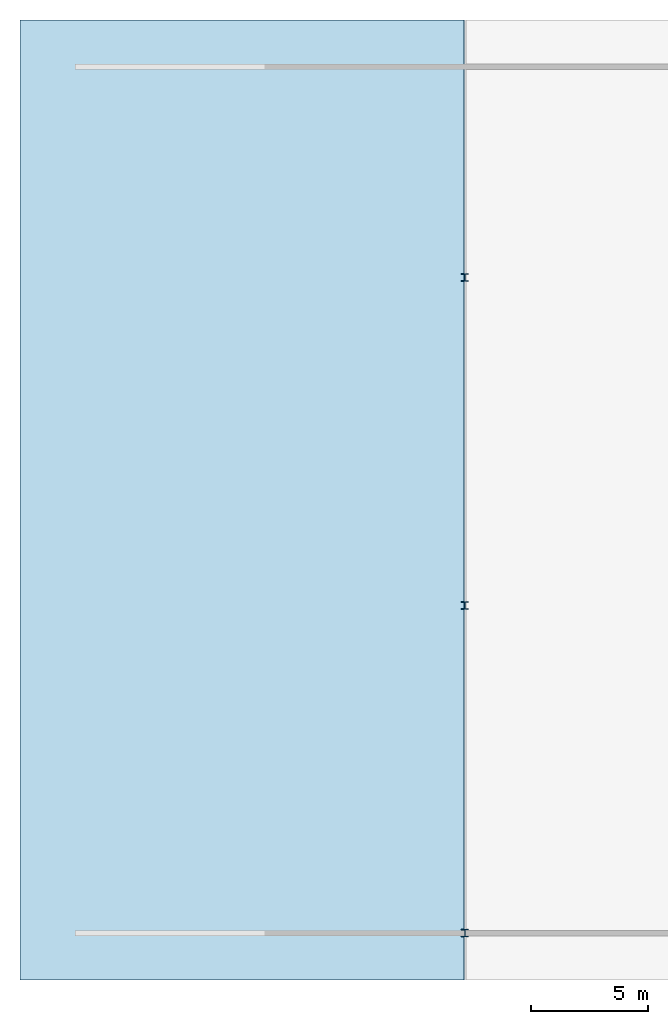
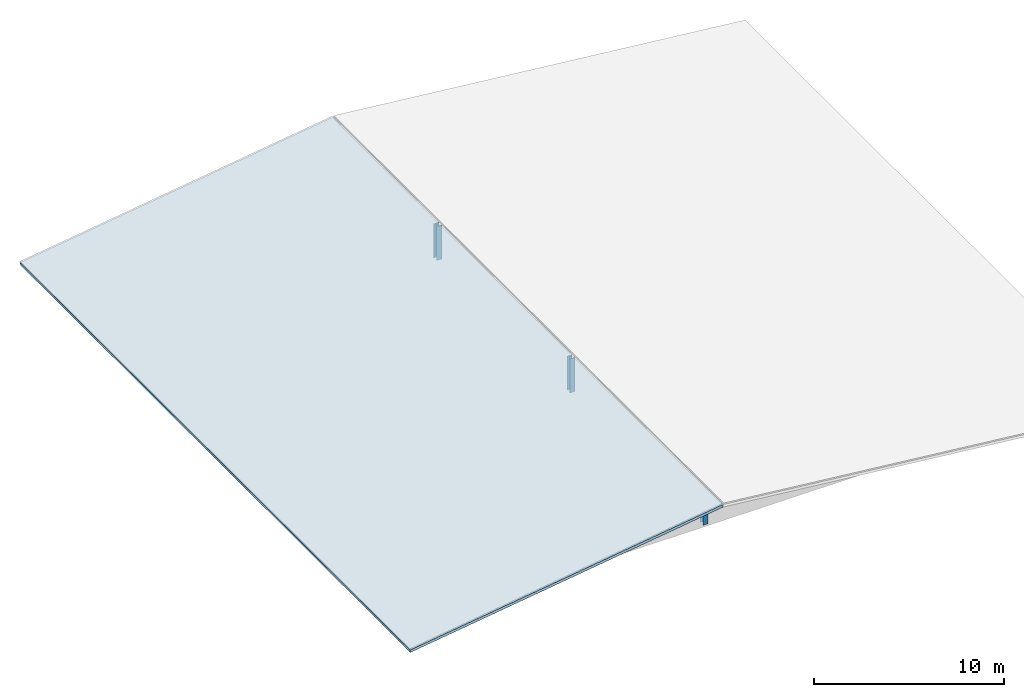
# One storey, part 1 of 3: 3 columns, 1 slab, 1 element without a shape of its own.
"""IFC4 building model written with IfcOpenShell, lengths in metres."""

from ifc_helpers import new_model, si_unit, direction, frame, origin, origin_2d, place, context, subcontext, project, spatial, polyline, i_section, outline, extrude, material, layer, layer_set, material_profile, profile_set, type_object, element, aggregate, save


model = new_model("IFC4")

# Units and contexts
model_context = context("Model", 3, precision=1e-05, world=origin(), true_north=direction((0.0, 1.0)))
body_context = subcontext(model_context, "Body", "Model", "MODEL_VIEW")
ifc_project = project(units=[si_unit("LENGTHUNIT", "METRE"), si_unit("AREAUNIT", "SQUARE_METRE"), si_unit("VOLUMEUNIT", "CUBIC_METRE"), si_unit("PLANEANGLEUNIT", "RADIAN"), si_unit("MASSUNIT", "GRAM", prefix="KILO")], contexts=[model_context])

# Site, building, storey
site_placement = place(None, origin())
site = spatial("IfcSite", under=ifc_project, at=site_placement, CompositionType="ELEMENT")
building_placement = place(site_placement, origin())
building = spatial("IfcBuilding", under=site, at=building_placement, Name="Larkveld Mobility Hub", CompositionType="ELEMENT")
storey_placement = place(building_placement, frame((0.0, 0.0, 27.0)))
storey = spatial("IfcBuildingStorey", under=building, at=storey_placement, Name="RF", CompositionType="ELEMENT", Elevation=27.0)

# Columns
ifc_material_1 = material(Name="Steel S355JR", Category="steel")
ifc_material_profile = material_profile(ifc_material_1, i_section(OverallWidth=0.30908203125, OverallDepth=0.320556640625, WebThickness=0.013916015625, FlangeThickness=0.021728515625, FilletRadius=0.01513671875, at=origin_2d()), Name="UC 305x305x137")
ifc_profile_set = profile_set([ifc_material_profile], Name="Steel S355JR")
column_type = type_object("IfcColumnType", Name="CL-STUC305", PredefinedType="COLUMN", material=ifc_profile_set)
for number, where, z_axis, x_axis, name in (
    (1, (129.0, 28.0, 0.0), (0.0, 0.0, 1.0), (1.0, 0.0, 0.0), "Sports Pavilion Ridge Post Y28"),
    (2, (129.0, 42.0, 0.0), (0.0, 0.0, 1.0), (1.0, 0.0, 0.0), "Sports Pavilion Ridge Post Y42"),
    (3, (129.0, 56.0, 0.0), (0.0, 0.0, 1.0), (1.0, 0.0, 0.0), "Sports Pavilion Ridge Post Y56"),
):
    element("IfcColumn", number, at=place(storey_placement, frame(where, z_axis=z_axis, x_axis=x_axis)), inside=storey, type_object=column_type, Name=name, PredefinedType="COLUMN", context=body_context, shape_type="SweptSolid", body=[
        extrude(i_section(OverallWidth=0.30908203125, OverallDepth=0.320556640625, WebThickness=0.013916015625, FlangeThickness=0.021728515625, FilletRadius=0.01513671875, at=origin_2d()), origin(), (0.0, 0.0, 1.0), 2.179931640625),
    ])

# Roof, slab
ifc_material_2 = material(Name="Precast concrete C50/60", Category="concrete")
roof_type = type_object("IfcRoofType", Name="ROF-HIP-01", PredefinedType="HIP_ROOF", material=ifc_material_2)
roof_placement = place(storey_placement, origin())
roof = element("IfcRoof", 4, at=roof_placement, inside=storey, type_object=roof_type, Name="Sports Pavilion Pitched Roof", PredefinedType="HIP_ROOF")
ifc_layer = layer(ifc_material_2, 0.169921875, Name="Precast concrete C50/60", Category="concrete")
ifc_layer_set = layer_set([ifc_layer], Name="Precast concrete C50/60")
slab_type = type_object("IfcSlabType", Name="SL-RF-PAV170", PredefinedType="ROOF", material=ifc_layer_set)
slab_placement = place(storey_placement, frame((110.0, 26.0, -0.281982421875), z_axis=(-0.140055726182, 0.0, 0.990143622695), x_axis=(0.990143622695, 0.0, 0.140055726182)))
slab = element("IfcSlab", 5, at=slab_placement, type_object=slab_type, Name="Sports Pavilion Sloped Roof Slab 1", PredefinedType="ROOF", context=body_context, shape_type="SweptSolid", body=[
    extrude(outline(polyline([(0.0, 0.0), (19.148697727198513, 0.0), (19.148697727198513, 41.0), (0.0, 41.0), (0.0, 0.0)])), origin(), (0.0, 0.0, -1.0), 0.169921875),
])
aggregate(roof, [slab])

save(model, "model.ifc")
